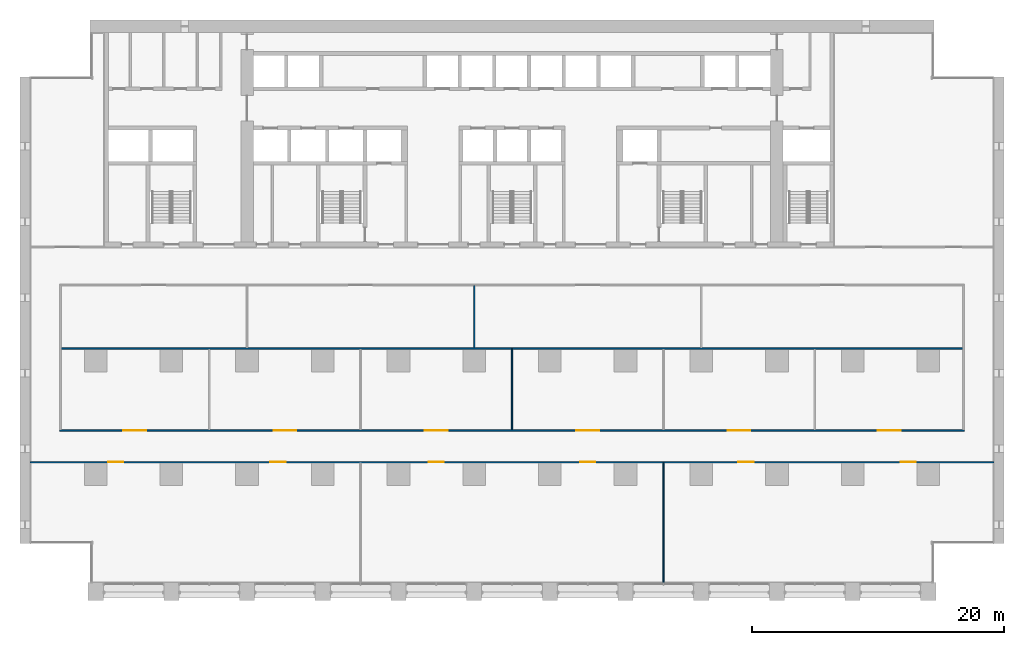
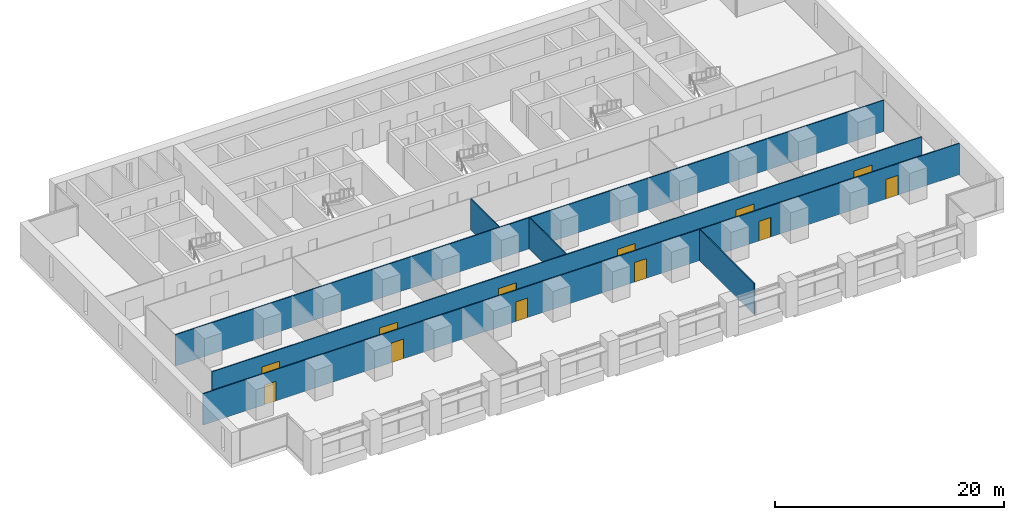
# One storey, part 9 of 18: 12 doors, 6 walls, 12 openings.
"""IFC4 building model written with IfcOpenShell, lengths in metres."""

from ifc_helpers import new_model, si_unit, direction, frame, frame_2d, origin, place, context, subcontext, project, spatial, rectangle, extrude, material, layer, layer_set, type_object, element, fill, save


model = new_model("IFC4")

# Units and contexts
model_context = context("Model", 3, precision=1e-05, world=origin(), true_north=direction((0.0, 1.0)))
body_context = subcontext(model_context, "Body", "Model", "MODEL_VIEW")
ifc_project = project(units=[si_unit("LENGTHUNIT", "METRE"), si_unit("AREAUNIT", "SQUARE_METRE"), si_unit("VOLUMEUNIT", "CUBIC_METRE"), si_unit("PLANEANGLEUNIT", "RADIAN"), si_unit("MASSUNIT", "GRAM", prefix="KILO")], contexts=[model_context])

# Site, building, storey
site_placement = place(None, origin())
site = spatial("IfcSite", under=ifc_project, at=site_placement, CompositionType="ELEMENT")
building_placement = place(site_placement, origin())
building = spatial("IfcBuilding", under=site, at=building_placement, Name="Calvaro Tower", CompositionType="ELEMENT")
storey_placement = place(building_placement, frame((0.0, 0.0, 33.75)))
storey = spatial("IfcBuildingStorey", under=building, at=storey_placement, Name="L07", CompositionType="ELEMENT", Elevation=33.75)

# Wall, openings, doors
ifc_material_1 = material(Name="Plasterboard on steel studs", Category="steel")
ifc_layer = layer(ifc_material_1, 0.10009765625)
ifc_layer_set = layer_set([ifc_layer], Name="Plasterboard on steel studs")
wall_type = type_object("IfcWallType", Name="Partition 100", PredefinedType="PARTITIONING", material=ifc_layer_set)
wall_1_placement = place(storey_placement, frame((0.800048828125, 10.949951171875, 0.0), z_axis=(0.0, 0.0, 1.0), x_axis=(1.0, 0.0, 0.0)))
wall_1 = element("IfcWall", 1, at=wall_1_placement, inside=storey, type_object=wall_type, Name="Partition T08.W001", PredefinedType="PARTITIONING", context=body_context, shape_type="SweptSolid", body=[
    extrude(rectangle(XDim=76.39990234375, YDim=0.10009765625, at=frame_2d((38.199951171875, 0.0))), origin(), (0.0, 0.0, 1.0), 3.35009765625),
])
opening_1_placement = place(wall_1_placement, frame((31.60009765625, 0.0, 0.0)))
opening_1 = element("IfcOpeningElement", 2, at=opening_1_placement, cuts=wall_1, Name="Opening T08.001", PredefinedType="OPENING", context=body_context, shape_type="SweptSolid", body=[
    extrude(rectangle(XDim=1.199951171875, YDim=2.10009765625, at=frame_2d((0.60009765625, 1.050048828125))), frame((0.0, 0.06005859375, 0.0), z_axis=(0.0, -1.0, 0.0), x_axis=(1.0, 0.0, 0.0)), (0.0, 0.0, 1.0), 0.1201171875),
])
opening_2_placement = place(wall_1_placement, frame((43.60009765625, 0.0, 0.0)))
opening_2 = element("IfcOpeningElement", 3, at=opening_2_placement, cuts=wall_1, Name="Opening T08.002", PredefinedType="OPENING", context=body_context, shape_type="SweptSolid", body=[
    extrude(rectangle(XDim=1.199951171875, YDim=2.10009765625, at=frame_2d((0.60009765625, 1.050048828125))), frame((0.0, 0.06005859375, 0.0), z_axis=(0.0, -1.0, 0.0), x_axis=(1.0, 0.0, 0.0)), (0.0, 0.0, 1.0), 0.1201171875),
])
opening_3_placement = place(wall_1_placement, frame((6.199951171875, 0.0, 0.0)))
opening_3 = element("IfcOpeningElement", 4, at=opening_3_placement, cuts=wall_1, Name="Opening T08.003", PredefinedType="OPENING", context=body_context, shape_type="SweptSolid", body=[
    extrude(rectangle(XDim=1.199951171875, YDim=2.10009765625, at=frame_2d((0.60009765625, 1.050048828125))), frame((0.0, 0.06005859375, 0.0), z_axis=(0.0, -1.0, 0.0), x_axis=(1.0, 0.0, 0.0)), (0.0, 0.0, 1.0), 0.1201171875),
])
opening_4_placement = place(wall_1_placement, frame((19.050048828125, 0.0, 0.0)))
opening_4 = element("IfcOpeningElement", 5, at=opening_4_placement, cuts=wall_1, Name="Opening T08.004", PredefinedType="OPENING", context=body_context, shape_type="SweptSolid", body=[
    extrude(rectangle(XDim=1.199951171875, YDim=2.10009765625, at=frame_2d((0.60009765625, 1.050048828125))), frame((0.0, 0.06005859375, 0.0), z_axis=(0.0, -1.0, 0.0), x_axis=(1.0, 0.0, 0.0)), (0.0, 0.0, 1.0), 0.1201171875),
])
opening_5_placement = place(wall_1_placement, frame((56.14990234375, 0.0, 0.0)))
opening_5 = element("IfcOpeningElement", 6, at=opening_5_placement, cuts=wall_1, Name="Opening T08.005", PredefinedType="OPENING", context=body_context, shape_type="SweptSolid", body=[
    extrude(rectangle(XDim=1.199951171875, YDim=2.10009765625, at=frame_2d((0.60009765625, 1.050048828125))), frame((0.0, 0.06005859375, 0.0), z_axis=(0.0, -1.0, 0.0), x_axis=(1.0, 0.0, 0.0)), (0.0, 0.0, 1.0), 0.1201171875),
])
opening_6_placement = place(wall_1_placement, frame((69.0, 0.0, 0.0)))
opening_6 = element("IfcOpeningElement", 7, at=opening_6_placement, cuts=wall_1, Name="Opening T08.006", PredefinedType="OPENING", context=body_context, shape_type="SweptSolid", body=[
    extrude(rectangle(XDim=1.199951171875, YDim=2.10009765625, at=frame_2d((0.60009765625, 1.050048828125))), frame((0.0, 0.06005859375, 0.0), z_axis=(0.0, -1.0, 0.0), x_axis=(1.0, 0.0, 0.0)), (0.0, 0.0, 1.0), 0.1201171875),
])
ifc_material_2 = material(Name="Timber", Category="wood")
door_type_1 = type_object("IfcDoorType", Name="Internal single door 1200 x 2100", OperationType="SINGLE_SWING_LEFT", PredefinedType="DOOR", material=ifc_material_2)
door_1_placement = place(opening_1_placement, origin())
door_1 = element("IfcDoor", 8, at=door_1_placement, inside=storey, type_object=door_type_1, Name="Door T08.001", OperationType="SINGLE_SWING_LEFT", OverallHeight=2.10009765625, OverallWidth=1.199951171875, PredefinedType="DOOR", context=body_context, shape_type="SweptSolid", body=[
    extrude(rectangle(XDim=1.199951171875, YDim=2.10009765625, at=frame_2d((0.60009765625, 1.050048828125))), frame((0.0, 0.02490234375, 0.0), z_axis=(0.0, -1.0, 0.0), x_axis=(1.0, 0.0, 0.0)), (0.0, 0.0, 1.0), 0.050048828125),
])
fill(opening_1, door_1)
door_2_placement = place(opening_2_placement, origin())
door_2 = element("IfcDoor", 9, at=door_2_placement, inside=storey, type_object=door_type_1, Name="Door T08.002", OperationType="SINGLE_SWING_RIGHT", OverallHeight=2.10009765625, OverallWidth=1.199951171875, PredefinedType="DOOR", context=body_context, shape_type="SweptSolid", body=[
    extrude(rectangle(XDim=1.199951171875, YDim=2.10009765625, at=frame_2d((0.60009765625, 1.050048828125))), frame((0.0, 0.02490234375, 0.0), z_axis=(0.0, -1.0, 0.0), x_axis=(1.0, 0.0, 0.0)), (0.0, 0.0, 1.0), 0.050048828125),
])
fill(opening_2, door_2)
door_3_placement = place(opening_3_placement, origin())
door_3 = element("IfcDoor", 10, at=door_3_placement, inside=storey, type_object=door_type_1, Name="Door T08.003", OperationType="SINGLE_SWING_LEFT", OverallHeight=2.10009765625, OverallWidth=1.199951171875, PredefinedType="DOOR", context=body_context, shape_type="SweptSolid", body=[
    extrude(rectangle(XDim=1.199951171875, YDim=2.10009765625, at=frame_2d((0.60009765625, 1.050048828125))), frame((0.0, 0.02490234375, 0.0), z_axis=(0.0, -1.0, 0.0), x_axis=(1.0, 0.0, 0.0)), (0.0, 0.0, 1.0), 0.050048828125),
])
fill(opening_3, door_3)
door_4_placement = place(opening_4_placement, origin())
door_4 = element("IfcDoor", 11, at=door_4_placement, inside=storey, type_object=door_type_1, Name="Door T08.004", OperationType="SINGLE_SWING_LEFT", OverallHeight=2.10009765625, OverallWidth=1.199951171875, PredefinedType="DOOR", context=body_context, shape_type="SweptSolid", body=[
    extrude(rectangle(XDim=1.199951171875, YDim=2.10009765625, at=frame_2d((0.60009765625, 1.050048828125))), frame((0.0, 0.02490234375, 0.0), z_axis=(0.0, -1.0, 0.0), x_axis=(1.0, 0.0, 0.0)), (0.0, 0.0, 1.0), 0.050048828125),
])
fill(opening_4, door_4)
door_5_placement = place(opening_5_placement, origin())
door_5 = element("IfcDoor", 12, at=door_5_placement, inside=storey, type_object=door_type_1, Name="Door T08.005", OperationType="SINGLE_SWING_RIGHT", OverallHeight=2.10009765625, OverallWidth=1.199951171875, PredefinedType="DOOR", context=body_context, shape_type="SweptSolid", body=[
    extrude(rectangle(XDim=1.199951171875, YDim=2.10009765625, at=frame_2d((0.60009765625, 1.050048828125))), frame((0.0, 0.02490234375, 0.0), z_axis=(0.0, -1.0, 0.0), x_axis=(1.0, 0.0, 0.0)), (0.0, 0.0, 1.0), 0.050048828125),
])
fill(opening_5, door_5)
door_6_placement = place(opening_6_placement, origin())
door_6 = element("IfcDoor", 13, at=door_6_placement, inside=storey, type_object=door_type_1, Name="Door T08.006", OperationType="SINGLE_SWING_RIGHT", OverallHeight=2.10009765625, OverallWidth=1.199951171875, PredefinedType="DOOR", context=body_context, shape_type="SweptSolid", body=[
    extrude(rectangle(XDim=1.199951171875, YDim=2.10009765625, at=frame_2d((0.60009765625, 1.050048828125))), frame((0.0, 0.02490234375, 0.0), z_axis=(0.0, -1.0, 0.0), x_axis=(1.0, 0.0, 0.0)), (0.0, 0.0, 1.0), 0.050048828125),
])
fill(opening_6, door_6)

wall_2_placement = place(storey_placement, frame((3.14990234375, 13.449951171875, 0.0), z_axis=(0.0, 0.0, 1.0), x_axis=(1.0, 0.0, 0.0)))
wall_2 = element("IfcWall", 14, at=wall_2_placement, inside=storey, type_object=wall_type, Name="Partition T08.W002", PredefinedType="PARTITIONING", context=body_context, shape_type="SweptSolid", body=[
    extrude(rectangle(XDim=71.7001953125, YDim=0.10009765625, at=frame_2d((35.85009765625, 0.0))), origin(), (0.0, 0.0, 1.0), 3.35009765625),
])
opening_7_placement = place(wall_2_placement, frame((5.050048828125, 0.0, 0.0)))
opening_7 = element("IfcOpeningElement", 15, at=opening_7_placement, cuts=wall_2, Name="Opening T08.007", PredefinedType="OPENING", context=body_context, shape_type="SweptSolid", body=[
    extrude(rectangle(XDim=1.800048828125, YDim=2.10009765625, at=frame_2d((0.89990234375, 1.050048828125))), frame((0.0, 0.06005859375, 0.0), z_axis=(0.0, -1.0, 0.0), x_axis=(1.0, 0.0, 0.0)), (0.0, 0.0, 1.0), 0.1201171875),
])
opening_8_placement = place(wall_2_placement, frame((16.949951171875, 0.0, 0.0)))
opening_8 = element("IfcOpeningElement", 16, at=opening_8_placement, cuts=wall_2, Name="Opening T08.008", PredefinedType="OPENING", context=body_context, shape_type="SweptSolid", body=[
    extrude(rectangle(XDim=1.800048828125, YDim=2.10009765625, at=frame_2d((0.89990234375, 1.050048828125))), frame((0.0, 0.06005859375, 0.0), z_axis=(0.0, -1.0, 0.0), x_axis=(1.0, 0.0, 0.0)), (0.0, 0.0, 1.0), 0.1201171875),
])
opening_9_placement = place(wall_2_placement, frame((28.949951171875, 0.0, 0.0)))
opening_9 = element("IfcOpeningElement", 17, at=opening_9_placement, cuts=wall_2, Name="Opening T08.009", PredefinedType="OPENING", context=body_context, shape_type="SweptSolid", body=[
    extrude(rectangle(XDim=1.800048828125, YDim=2.10009765625, at=frame_2d((0.89990234375, 1.050048828125))), frame((0.0, 0.06005859375, 0.0), z_axis=(0.0, -1.0, 0.0), x_axis=(1.0, 0.0, 0.0)), (0.0, 0.0, 1.0), 0.1201171875),
])
opening_10_placement = place(wall_2_placement, frame((40.949951171875, 0.0, 0.0)))
opening_10 = element("IfcOpeningElement", 18, at=opening_10_placement, cuts=wall_2, Name="Opening T08.010", PredefinedType="OPENING", context=body_context, shape_type="SweptSolid", body=[
    extrude(rectangle(XDim=1.800048828125, YDim=2.10009765625, at=frame_2d((0.89990234375, 1.050048828125))), frame((0.0, 0.06005859375, 0.0), z_axis=(0.0, -1.0, 0.0), x_axis=(1.0, 0.0, 0.0)), (0.0, 0.0, 1.0), 0.1201171875),
])
opening_11_placement = place(wall_2_placement, frame((52.949951171875, 0.0, 0.0)))
opening_11 = element("IfcOpeningElement", 19, at=opening_11_placement, cuts=wall_2, Name="Opening T08.011", PredefinedType="OPENING", context=body_context, shape_type="SweptSolid", body=[
    extrude(rectangle(XDim=1.800048828125, YDim=2.10009765625, at=frame_2d((0.89990234375, 1.050048828125))), frame((0.0, 0.06005859375, 0.0), z_axis=(0.0, -1.0, 0.0), x_axis=(1.0, 0.0, 0.0)), (0.0, 0.0, 1.0), 0.1201171875),
])
opening_12_placement = place(wall_2_placement, frame((64.85009765625, 0.0, 0.0)))
opening_12 = element("IfcOpeningElement", 20, at=opening_12_placement, cuts=wall_2, Name="Opening T08.012", PredefinedType="OPENING", context=body_context, shape_type="SweptSolid", body=[
    extrude(rectangle(XDim=1.800048828125, YDim=2.10009765625, at=frame_2d((0.89990234375, 1.050048828125))), frame((0.0, 0.06005859375, 0.0), z_axis=(0.0, -1.0, 0.0), x_axis=(1.0, 0.0, 0.0)), (0.0, 0.0, 1.0), 0.1201171875),
])
ifc_material_3 = material(Name="Timber", Category="wood")
door_type_2 = type_object("IfcDoorType", Name="Internal double door 1800 x 2100", OperationType="DOUBLE_DOOR_SINGLE_SWING", PredefinedType="DOOR", material=ifc_material_3)
door_7_placement = place(opening_7_placement, origin())
door_7 = element("IfcDoor", 21, at=door_7_placement, inside=storey, type_object=door_type_2, Name="Door T08.007", OperationType="DOUBLE_DOOR_SINGLE_SWING", OverallHeight=2.10009765625, OverallWidth=1.800048828125, PredefinedType="DOOR", context=body_context, shape_type="SweptSolid", body=[
    extrude(rectangle(XDim=1.800048828125, YDim=2.10009765625, at=frame_2d((0.89990234375, 1.050048828125))), frame((0.0, 0.02490234375, 0.0), z_axis=(0.0, -1.0, 0.0), x_axis=(1.0, 0.0, 0.0)), (0.0, 0.0, 1.0), 0.050048828125),
])
fill(opening_7, door_7)
door_8_placement = place(opening_8_placement, origin())
door_8 = element("IfcDoor", 22, at=door_8_placement, inside=storey, type_object=door_type_2, Name="Door T08.008", OperationType="DOUBLE_DOOR_SINGLE_SWING", OverallHeight=2.10009765625, OverallWidth=1.800048828125, PredefinedType="DOOR", context=body_context, shape_type="SweptSolid", body=[
    extrude(rectangle(XDim=1.800048828125, YDim=2.10009765625, at=frame_2d((0.89990234375, 1.050048828125))), frame((0.0, 0.02490234375, 0.0), z_axis=(0.0, -1.0, 0.0), x_axis=(1.0, 0.0, 0.0)), (0.0, 0.0, 1.0), 0.050048828125),
])
fill(opening_8, door_8)
door_9_placement = place(opening_9_placement, origin())
door_9 = element("IfcDoor", 23, at=door_9_placement, inside=storey, type_object=door_type_2, Name="Door T08.009", OperationType="DOUBLE_DOOR_SINGLE_SWING", OverallHeight=2.10009765625, OverallWidth=1.800048828125, PredefinedType="DOOR", context=body_context, shape_type="SweptSolid", body=[
    extrude(rectangle(XDim=1.800048828125, YDim=2.10009765625, at=frame_2d((0.89990234375, 1.050048828125))), frame((0.0, 0.02490234375, 0.0), z_axis=(0.0, -1.0, 0.0), x_axis=(1.0, 0.0, 0.0)), (0.0, 0.0, 1.0), 0.050048828125),
])
fill(opening_9, door_9)
door_10_placement = place(opening_10_placement, origin())
door_10 = element("IfcDoor", 24, at=door_10_placement, inside=storey, type_object=door_type_2, Name="Door T08.010", OperationType="DOUBLE_DOOR_SINGLE_SWING", OverallHeight=2.10009765625, OverallWidth=1.800048828125, PredefinedType="DOOR", context=body_context, shape_type="SweptSolid", body=[
    extrude(rectangle(XDim=1.800048828125, YDim=2.10009765625, at=frame_2d((0.89990234375, 1.050048828125))), frame((0.0, 0.02490234375, 0.0), z_axis=(0.0, -1.0, 0.0), x_axis=(1.0, 0.0, 0.0)), (0.0, 0.0, 1.0), 0.050048828125),
])
fill(opening_10, door_10)
door_11_placement = place(opening_11_placement, origin())
door_11 = element("IfcDoor", 25, at=door_11_placement, inside=storey, type_object=door_type_2, Name="Door T08.011", OperationType="DOUBLE_DOOR_SINGLE_SWING", OverallHeight=2.10009765625, OverallWidth=1.800048828125, PredefinedType="DOOR", context=body_context, shape_type="SweptSolid", body=[
    extrude(rectangle(XDim=1.800048828125, YDim=2.10009765625, at=frame_2d((0.89990234375, 1.050048828125))), frame((0.0, 0.02490234375, 0.0), z_axis=(0.0, -1.0, 0.0), x_axis=(1.0, 0.0, 0.0)), (0.0, 0.0, 1.0), 0.050048828125),
])
fill(opening_11, door_11)
door_12_placement = place(opening_12_placement, origin())
door_12 = element("IfcDoor", 26, at=door_12_placement, inside=storey, type_object=door_type_2, Name="Door T08.012", OperationType="DOUBLE_DOOR_SINGLE_SWING", OverallHeight=2.10009765625, OverallWidth=1.800048828125, PredefinedType="DOOR", context=body_context, shape_type="SweptSolid", body=[
    extrude(rectangle(XDim=1.800048828125, YDim=2.10009765625, at=frame_2d((0.89990234375, 1.050048828125))), frame((0.0, 0.02490234375, 0.0), z_axis=(0.0, -1.0, 0.0), x_axis=(1.0, 0.0, 0.0)), (0.0, 0.0, 1.0), 0.050048828125),
])
fill(opening_12, door_12)

# Walls
wall_3_placement = place(storey_placement, frame((3.25, 19.949951171875, 0.0), z_axis=(0.0, 0.0, 1.0), x_axis=(1.0, 0.0, 0.0)))
element("IfcWall", 27, at=wall_3_placement, inside=storey, type_object=wall_type, Name="Partition T08.W003", PredefinedType="PARTITIONING", context=body_context, shape_type="SweptSolid", body=[
    extrude(rectangle(XDim=71.5, YDim=0.10009765625, at=frame_2d((35.75, 0.0))), origin(), (0.0, 0.0, 1.0), 3.35009765625),
])
wall_4_placement = place(storey_placement, frame((36.0, 20.0, 0.0), z_axis=(0.0, 0.0, 1.0), x_axis=(0.0, 1.0, 0.0)))
element("IfcWall", 28, at=wall_4_placement, inside=storey, type_object=wall_type, Name="Partition T08.W012", PredefinedType="PARTITIONING", context=body_context, shape_type="SweptSolid", body=[
    extrude(rectangle(XDim=4.949951171875, YDim=0.10009765625, at=frame_2d((2.47509765625, 0.0))), origin(), (0.0, 0.0, 1.0), 3.35009765625),
])
wall_5_placement = place(storey_placement, frame((39.0, 13.5, 0.0), z_axis=(0.0, 0.0, 1.0), x_axis=(0.0, 1.0, 0.0)))
element("IfcWall", 29, at=wall_5_placement, inside=storey, type_object=wall_type, Name="Partition T08.W013", PredefinedType="PARTITIONING", context=body_context, shape_type="SweptSolid", body=[
    extrude(rectangle(XDim=6.39990234375, YDim=0.10009765625, at=frame_2d((3.199951171875, 0.0))), origin(), (0.0, 0.0, 1.0), 3.35009765625),
])
wall_6_placement = place(storey_placement, frame((51.0, 1.39990234375, 0.0), z_axis=(0.0, 0.0, 1.0), x_axis=(0.0, 1.0, 0.0)))
element("IfcWall", 30, at=wall_6_placement, inside=storey, type_object=wall_type, Name="Partition T08.W014", PredefinedType="PARTITIONING", context=body_context, shape_type="SweptSolid", body=[
    extrude(rectangle(XDim=9.5, YDim=0.10009765625, at=frame_2d((4.75, 0.0))), origin(), (0.0, 0.0, 1.0), 3.35009765625),
])

save(model, "model.ifc")
